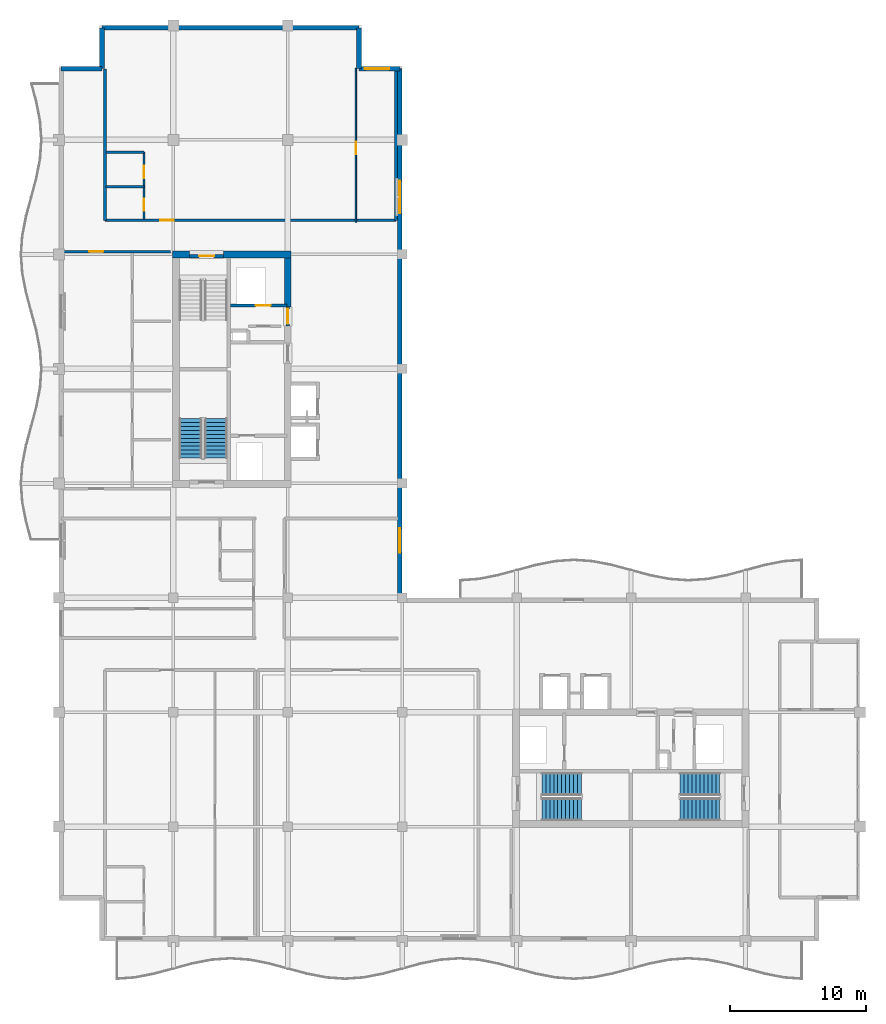
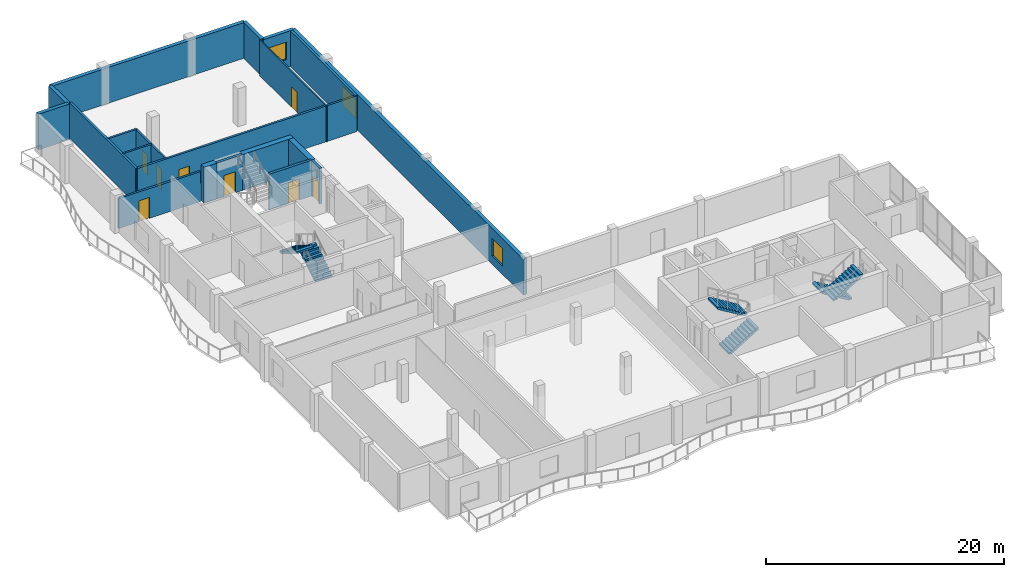
# One storey, part 9 of 14: 20 walls, 8 doors, 6 stair flights, 3 windows, 11 openings, 3 elements without a shape of their own.
"""IFC4 building model written with IfcOpenShell, lengths in metres."""

from ifc_helpers import new_model, si_unit, direction, frame, frame_2d, origin, place, context, subcontext, project, spatial, polyline, rectangle, outline, extrude, material, layer, layer_set, type_object, element, fill, aggregate, save


model = new_model("IFC4")

# Units and contexts
model_context = context("Model", 3, precision=1e-05, world=origin(), true_north=direction((0.0, 1.0)))
body_context = subcontext(model_context, "Body", "Model", "MODEL_VIEW")
ifc_project = project(units=[si_unit("LENGTHUNIT", "METRE"), si_unit("AREAUNIT", "SQUARE_METRE"), si_unit("VOLUMEUNIT", "CUBIC_METRE"), si_unit("PLANEANGLEUNIT", "RADIAN"), si_unit("MASSUNIT", "GRAM", prefix="KILO")], contexts=[model_context])

# Site, building, storey
site_placement = place(None, origin())
site = spatial("IfcSite", under=ifc_project, at=site_placement, CompositionType="ELEMENT")
building_placement = place(site_placement, origin())
building = spatial("IfcBuilding", under=site, at=building_placement, Name="Koriwani Terraces Tower", CompositionType="ELEMENT")
storey_placement = place(building_placement, frame((0.0, 0.0, 339.800048828125)))
storey = spatial("IfcBuildingStorey", under=building, at=storey_placement, Name="L84", CompositionType="ELEMENT", Elevation=339.800048828125)

# Walls
ifc_material_1 = material(Name="Concrete C50/60", Category="concrete")
ifc_layer_1 = layer(ifc_material_1, 0.5, Name="Concrete C50/60")
ifc_layer_set_1 = layer_set([ifc_layer_1], Name="Concrete C50/60")
wall_type_1 = type_object("IfcWallType", Name="WALL_CORE_RC_500", PredefinedType="SHEAR", material=ifc_layer_set_1)
wall_1_placement = place(storey_placement, frame((16.75, 58.800048828125, 0.0), z_axis=(0.0, 0.0, 1.0), x_axis=(1.0, 0.0, 0.0)))
element("IfcWall", 1, at=wall_1_placement, inside=storey, type_object=wall_type_1, Name="L84 West Split Core Shear Wall N1", PredefinedType="SHEAR", context=body_context, shape_type="SweptSolid", body=[
    extrude(rectangle(XDim=1.25, YDim=0.5, at=frame_2d((0.625, 0.0))), origin(), (0.0, 0.0, 1.0), 3.669921875),
])
wall_2_placement = place(storey_placement, frame((20.5, 58.800048828125, 0.0), z_axis=(0.0, 0.0, 1.0), x_axis=(1.0, 0.0, 0.0)))
element("IfcWall", 2, at=wall_2_placement, inside=storey, type_object=wall_type_1, Name="L84 West Split Core Shear Wall N2", PredefinedType="SHEAR", context=body_context, shape_type="SweptSolid", body=[
    extrude(rectangle(XDim=4.949951171875, YDim=0.5, at=frame_2d((2.47509765625, 0.0))), origin(), (0.0, 0.0, 1.0), 3.669921875),
])
wall_3_placement = place(storey_placement, frame((25.199951171875, 54.949951171875, 0.0), z_axis=(0.0, 0.0, 1.0), x_axis=(0.0, 1.0, 0.0)))
element("IfcWall", 3, at=wall_3_placement, inside=storey, type_object=wall_type_1, Name="L84 West Split Core Shear Wall E3", PredefinedType="SHEAR", context=body_context, shape_type="SweptSolid", body=[
    extrude(rectangle(XDim=3.60009765625, YDim=0.5, at=frame_2d((1.800048828125, 0.0))), origin(), (0.0, 0.0, 1.0), 3.669921875),
])

# Wall, opening, door
ifc_material_2 = material(Name="Autoclaved Cellular Concrete Blockwork", Category="masonry")
ifc_layer_2 = layer(ifc_material_2, 0.199951171875, Name="Autoclaved Cellular Concrete Blockwork")
ifc_layer_set_2 = layer_set([ifc_layer_2], Name="Autoclaved Cellular Concrete Blockwork")
wall_type_2 = type_object("IfcWallType", Name="WALL_CORRIDOR_200", PredefinedType="PARTITIONING", material=ifc_layer_set_2)
wall_4_placement = place(storey_placement, frame((8.64990234375, 59.0, 0.0), z_axis=(0.0, 0.0, 1.0), x_axis=(1.0, 0.0, 0.0)))
wall_4 = element("IfcWall", 4, at=wall_4_placement, inside=storey, type_object=wall_type_2, Name="L84 Interior Wall WRZ4-WN-L84", PredefinedType="PARTITIONING", context=body_context, shape_type="SweptSolid", body=[
    extrude(rectangle(XDim=7.9501953125, YDim=0.199951171875, at=frame_2d((3.97509765625, 0.0))), origin(), (0.0, 0.0, 1.0), 3.070068359375),
])
opening_1_placement = place(wall_4_placement, frame((2.0, 0.0, 0.0)))
opening_1 = element("IfcOpeningElement", 5, at=opening_1_placement, cuts=wall_4, Name="Opening D-05", PredefinedType="OPENING", context=body_context, shape_type="SweptSolid", body=[
    extrude(rectangle(XDim=1.0, YDim=2.14990234375, at=frame_2d((0.5, 1.074951171875))), frame((0.0, 0.10986328125, 0.0), z_axis=(0.0, -1.0, 0.0), x_axis=(1.0, 0.0, 0.0)), (0.0, 0.0, 1.0), 0.219970703125),
])
ifc_material_3 = material(Name="Architectural Oak Fire Door", Category="wood")
door_type_1 = type_object("IfcDoorType", Name="DOOR_SUITE_ENTRY_1000X2150", OperationType="NOTDEFINED", PredefinedType="DOOR", material=ifc_material_3)
door_1_placement = place(opening_1_placement, origin())
door_1 = element("IfcDoor", 6, at=door_1_placement, inside=storey, type_object=door_type_1, Name="Apartment 84RW2 Entrance Door", OperationType="SINGLE_SWING_RIGHT", OverallHeight=2.14990234375, OverallWidth=1.0, PredefinedType="DOOR", context=body_context, shape_type="SweptSolid", body=[
    extrude(rectangle(XDim=1.0, YDim=2.14990234375, at=frame_2d((0.5, 1.074951171875))), frame((0.0, 0.02490234375, 0.0), z_axis=(0.0, -1.0, 0.0), x_axis=(1.0, 0.0, 0.0)), (0.0, 0.0, 1.0), 0.050048828125),
])
fill(opening_1, door_1)

wall_5_placement = place(storey_placement, frame((11.800048828125, 61.300048828125, 0.0), z_axis=(0.0, 0.0, 1.0), x_axis=(1.0, 0.0, 0.0)))
wall_5 = element("IfcWall", 7, at=wall_5_placement, inside=storey, type_object=wall_type_2, Name="L84 Interior Wall WGB-L84-NT-S", PredefinedType="PARTITIONING", context=body_context, shape_type="SweptSolid", body=[
    extrude(rectangle(XDim=21.349853515625, YDim=0.199951171875, at=frame_2d((10.6748046875, 0.0))), origin(), (0.0, 0.0, 1.0), 3.669921875),
])
opening_2_placement = place(wall_5_placement, frame((4.050048828125, 0.0, 0.0)))
opening_2 = element("IfcOpeningElement", 8, at=opening_2_placement, cuts=wall_5, Name="Opening D-05", PredefinedType="OPENING", context=body_context, shape_type="SweptSolid", body=[
    extrude(rectangle(XDim=1.0, YDim=2.14990234375, at=frame_2d((0.5, 1.074951171875))), frame((0.0, 0.10986328125, 0.0), z_axis=(0.0, -1.0, 0.0), x_axis=(1.0, 0.0, 0.0)), (0.0, 0.0, 1.0), 0.219970703125),
])
door_2_placement = place(opening_2_placement, origin())
door_2 = element("IfcDoor", 9, at=door_2_placement, inside=storey, type_object=door_type_1, Name="Apartment 84NT Entrance Door", OperationType="SINGLE_SWING_RIGHT", OverallHeight=2.14990234375, OverallWidth=1.0, PredefinedType="DOOR", context=body_context, shape_type="SweptSolid", body=[
    extrude(rectangle(XDim=1.0, YDim=2.14990234375, at=frame_2d((0.5, 1.074951171875))), frame((0.0, 0.02490234375, 0.0), z_axis=(0.0, -1.0, 0.0), x_axis=(1.0, 0.0, 0.0)), (0.0, 0.0, 1.0), 0.050048828125),
])
fill(opening_2, door_2)

# Walls
ifc_layer_3 = layer(ifc_material_2, 0.219970703125, Name="Autoclaved Cellular Concrete Blockwork")
ifc_layer_set_3 = layer_set([ifc_layer_3], Name="Autoclaved Cellular Concrete Blockwork")
wall_type_3 = type_object("IfcWallType", Name="WALL_DEMISING_220", PredefinedType="PARTITIONING", material=ifc_layer_set_3)
for number, where, z_axis, x_axis, name in (
    (10, (33.14990234375, 61.300048828125, 0.0), (0.0, 0.0, 1.0), (0.0, 1.0, 0.0), "L84 Interior Wall WGB-L84-NT-E"),
    (11, (11.800048828125, 61.300048828125, 0.0), (0.0, 0.0, 1.0), (0.0, 1.0, 0.0), "L84 Interior Wall WGB-L84-NT-W"),
):
    element("IfcWall", number, at=place(storey_placement, frame(where, z_axis=z_axis, x_axis=x_axis)), inside=storey, type_object=wall_type_3, Name=name, PredefinedType="PARTITIONING", context=body_context, shape_type="SweptSolid", body=[
        extrude(rectangle(XDim=11.099853515625, YDim=0.219970703125, at=frame_2d((5.5498046875, 0.0))), origin(), (0.0, 0.0, 1.0), 3.669921875),
    ])
ifc_layer_4 = layer(ifc_material_1, 0.35009765625, Name="Concrete C50/60")
ifc_layer_set_4 = layer_set([ifc_layer_4], Name="Concrete C50/60")
wall_type_4 = type_object("IfcWallType", Name="WALL_EXT_BRUTALIST_350", PredefinedType="STANDARD", material=ifc_layer_set_4)
for number, where, z_axis, x_axis, name in (
    (12, (8.574951171875, 72.425048828125, 0.0), (0.0, 0.0, 1.0), (1.0, 0.0, 0.0), "L84 Fair-Faced Brutalist Exterior Wall (N3)"),
    (13, (11.574951171875, 72.425048828125, 0.0), (0.0, 0.0, 1.0), (0.0, 1.0, 0.0), "L84 Fair-Faced Brutalist Exterior Wall (N4)"),
):
    element("IfcWall", number, at=place(storey_placement, frame(where, z_axis=z_axis, x_axis=x_axis)), inside=storey, type_object=wall_type_4, Name=name, PredefinedType="STANDARD", context=body_context, shape_type="SweptSolid", body=[
        extrude(rectangle(XDim=3.0, YDim=0.35009765625, at=frame_2d((1.5, 0.0))), origin(), (0.0, 0.0, 1.0), 3.669921875),
    ])
wall_6_placement = place(storey_placement, frame((11.574951171875, 75.425048828125, 0.0), z_axis=(0.0, 0.0, 1.0), x_axis=(1.0, 0.0, 0.0)))
element("IfcWall", 14, at=wall_6_placement, inside=storey, type_object=wall_type_4, Name="L84 Fair-Faced Brutalist Exterior Wall (N_TIP)", PredefinedType="STANDARD", context=body_context, shape_type="SweptSolid", body=[
    extrude(rectangle(XDim=18.85009765625, YDim=0.35009765625, at=frame_2d((9.425048828125, 0.0))), origin(), (0.0, 0.0, 1.0), 3.669921875),
])
wall_7_placement = place(storey_placement, frame((30.425048828125, 75.425048828125, 0.0), z_axis=(0.0, 0.0, 1.0), x_axis=(0.0, -1.0, 0.0)))
element("IfcWall", 15, at=wall_7_placement, inside=storey, type_object=wall_type_4, Name="L84 Fair-Faced Brutalist Exterior Wall (N6)", PredefinedType="STANDARD", context=body_context, shape_type="SweptSolid", body=[
    extrude(rectangle(XDim=3.0, YDim=0.35009765625, at=frame_2d((1.5, 0.0))), origin(), (0.0, 0.0, 1.0), 3.669921875),
])

# Wall, opening, window
wall_8_placement = place(storey_placement, frame((30.425048828125, 72.425048828125, 0.0), z_axis=(0.0, 0.0, 1.0), x_axis=(1.0, 0.0, 0.0)))
wall_8 = element("IfcWall", 16, at=wall_8_placement, inside=storey, type_object=wall_type_4, Name="L84 Fair-Faced Brutalist Exterior Wall (N7)", PredefinedType="STANDARD", context=body_context, shape_type="SweptSolid", body=[
    extrude(rectangle(XDim=3.0, YDim=0.35009765625, at=frame_2d((1.5, 0.0))), origin(), (0.0, 0.0, 1.0), 3.669921875),
])
opening_3_placement = place(wall_8_placement, frame((0.4375, 0.0, 0.85009765625)))
opening_3 = element("IfcOpeningElement", 17, at=opening_3_placement, cuts=wall_8, Name="Opening W-04", PredefinedType="OPENING", context=body_context, shape_type="SweptSolid", body=[
    extrude(rectangle(XDim=1.800048828125, YDim=1.800048828125, at=frame_2d((0.89990234375, 0.89990234375))), frame((0.0, 0.18505859375, 0.0), z_axis=(0.0, -1.0, 0.0), x_axis=(1.0, 0.0, 0.0)), (0.0, 0.0, 1.0), 0.3701171875),
])
ifc_material_4 = material(Name="Tempered Laminated Low-E Glass", Category="glass")
window_type_1 = type_object("IfcWindowType", Name="WIN_RES_BED_1800X1800", PartitioningType="DOUBLE_PANEL_VERTICAL", PredefinedType="WINDOW", material=ifc_material_4)
window_1_placement = place(opening_3_placement, origin())
window_1 = element("IfcWindow", 18, at=window_1_placement, inside=storey, type_object=window_type_1, Name="L84 Exterior Window (N7-R41)", OverallHeight=1.800048828125, OverallWidth=1.800048828125, PartitioningType="SINGLE_PANEL", PredefinedType="WINDOW", context=body_context, shape_type="SweptSolid", body=[
    extrude(rectangle(XDim=1.800048828125, YDim=1.800048828125, at=frame_2d((0.89990234375, 0.89990234375))), frame((0.0, 0.030029296875, 0.0), z_axis=(0.0, -1.0, 0.0), x_axis=(1.0, 0.0, 0.0)), (0.0, 0.0, 1.0), 0.06005859375),
])
fill(opening_3, window_1)

# Wall, openings, windows
wall_9_placement = place(storey_placement, frame((33.425048828125, 72.425048828125, 0.0), z_axis=(0.0, 0.0, 1.0), x_axis=(0.0, -1.0, 0.0)))
wall_9 = element("IfcWall", 19, at=wall_9_placement, inside=storey, type_object=wall_type_4, Name="L84 Fair-Faced Brutalist Exterior Wall (NW_IN)", PredefinedType="STANDARD", context=body_context, shape_type="SweptSolid", body=[
    extrude(rectangle(XDim=39.0, YDim=0.35009765625, at=frame_2d((19.5, 0.0))), origin(), (0.0, 0.0, 1.0), 3.669921875),
])
opening_4_placement = place(wall_9_placement, frame((33.72509765625, 0.0, 0.85009765625)))
opening_4 = element("IfcOpeningElement", 20, at=opening_4_placement, cuts=wall_9, Name="Opening W-04", PredefinedType="OPENING", context=body_context, shape_type="SweptSolid", body=[
    extrude(rectangle(XDim=1.800048828125, YDim=1.800048828125, at=frame_2d((0.89990234375, 0.89990234375))), frame((0.0, 0.18505859375, 0.0), z_axis=(0.0, -1.0, 0.0), x_axis=(1.0, 0.0, 0.0)), (0.0, 0.0, 1.0), 0.3701171875),
])
opening_5_placement = place(wall_9_placement, frame((8.22509765625, 0.0, 0.85009765625)))
opening_5 = element("IfcOpeningElement", 21, at=opening_5_placement, cuts=wall_9, Name="Opening W-03", PredefinedType="OPENING", context=body_context, shape_type="SweptSolid", body=[
    extrude(rectangle(XDim=2.39990234375, YDim=1.949951171875, at=frame_2d((1.199951171875, 0.97509765625))), frame((0.0, 0.18505859375, 0.0), z_axis=(0.0, -1.0, 0.0), x_axis=(1.0, 0.0, 0.0)), (0.0, 0.0, 1.0), 0.3701171875),
])
window_2_placement = place(opening_4_placement, origin())
window_2 = element("IfcWindow", 22, at=window_2_placement, inside=storey, type_object=window_type_1, Name="L84 Exterior Window (NW_IN-2)", OverallHeight=1.800048828125, OverallWidth=1.800048828125, PartitioningType="SINGLE_PANEL", PredefinedType="WINDOW", context=body_context, shape_type="SweptSolid", body=[
    extrude(rectangle(XDim=1.800048828125, YDim=1.800048828125, at=frame_2d((0.89990234375, 0.89990234375))), frame((0.0, 0.030029296875, 0.0), z_axis=(0.0, -1.0, 0.0), x_axis=(1.0, 0.0, 0.0)), (0.0, 0.0, 1.0), 0.06005859375),
])
fill(opening_4, window_2)
window_type_2 = type_object("IfcWindowType", Name="WIN_RES_LIVING_2400X1950", PartitioningType="DOUBLE_PANEL_VERTICAL", PredefinedType="WINDOW", material=ifc_material_4)
window_3_placement = place(opening_5_placement, origin())
window_3 = element("IfcWindow", 23, at=window_3_placement, inside=storey, type_object=window_type_2, Name="L84 Exterior Window (NW_IN-11)", OverallHeight=1.949951171875, OverallWidth=2.39990234375, PartitioningType="SINGLE_PANEL", PredefinedType="WINDOW", context=body_context, shape_type="SweptSolid", body=[
    extrude(rectangle(XDim=2.39990234375, YDim=1.949951171875, at=frame_2d((1.199951171875, 0.97509765625))), frame((0.0, 0.030029296875, 0.0), z_axis=(0.0, -1.0, 0.0), x_axis=(1.0, 0.0, 0.0)), (0.0, 0.0, 1.0), 0.06005859375),
])
fill(opening_5, window_3)

# Wall, opening, door
ifc_material_5 = material(Name="Fire-Rated Acoustic Gypsum Partition", Category="masonry")
ifc_layer_5 = layer(ifc_material_5, 0.125, Name="Fire-Rated Acoustic Gypsum Partition")
ifc_layer_set_5 = layer_set([ifc_layer_5], Name="Fire-Rated Acoustic Gypsum Partition")
wall_type_5 = type_object("IfcWallType", Name="WALL_INT_125", PredefinedType="PARTITIONING", material=ifc_layer_set_5)
wall_10_placement = place(storey_placement, frame((30.199951171875, 61.14990234375, 0.0), z_axis=(0.0, 0.0, 1.0), x_axis=(0.0, 1.0, 0.0)))
wall_10 = element("IfcWall", 24, at=wall_10_placement, inside=storey, type_object=wall_type_5, Name="L84 Interior Wall WGB-L84-NT-BD", PredefinedType="PARTITIONING", context=body_context, shape_type="SweptSolid", body=[
    extrude(rectangle(XDim=11.300048828125, YDim=0.125, at=frame_2d((5.64990234375, 0.0))), origin(), (0.0, 0.0, 1.0), 3.669921875),
])
opening_6_placement = place(wall_10_placement, frame((4.9951171875, 0.0, 0.0)))
opening_6 = element("IfcOpeningElement", 25, at=opening_6_placement, cuts=wall_10, Name="Opening D-06", PredefinedType="OPENING", context=body_context, shape_type="SweptSolid", body=[
    extrude(rectangle(XDim=0.919921875, YDim=2.10009765625, at=frame_2d((0.4599609375, 1.050048828125))), frame((0.0, 0.072509765625, 0.0), z_axis=(0.0, -1.0, 0.0), x_axis=(1.0, 0.0, 0.0)), (0.0, 0.0, 1.0), 0.14501953125),
])
door_type_2 = type_object("IfcDoorType", Name="DOOR_ROOM_INT_920X2100", OperationType="NOTDEFINED", PredefinedType="DOOR", material=ifc_material_3)
door_3_placement = place(opening_6_placement, origin())
door_3 = element("IfcDoor", 26, at=door_3_placement, inside=storey, type_object=door_type_2, Name="Apartment 84NT Master Suite Door", OperationType="SINGLE_SWING_LEFT", OverallHeight=2.10009765625, OverallWidth=0.919921875, PredefinedType="DOOR", context=body_context, shape_type="SweptSolid", body=[
    extrude(rectangle(XDim=0.919921875, YDim=2.10009765625, at=frame_2d((0.4599609375, 1.050048828125))), frame((0.0, 0.02490234375, 0.0), z_axis=(0.0, -1.0, 0.0), x_axis=(1.0, 0.0, 0.0)), (0.0, 0.0, 1.0), 0.050048828125),
])
fill(opening_6, door_3)

# Wall, openings, doors
ifc_layer_6 = layer(ifc_material_5, 0.179931640625, Name="Fire-Rated Acoustic Gypsum Partition")
ifc_layer_set_6 = layer_set([ifc_layer_6], Name="Fire-Rated Acoustic Gypsum Partition")
wall_type_6 = type_object("IfcWallType", Name="WALL_PLUMBING_180", PredefinedType="PLUMBINGWALL", material=ifc_layer_set_6)
wall_11_placement = place(storey_placement, frame((14.64990234375, 61.35009765625, 0.0), z_axis=(0.0, 0.0, 1.0), x_axis=(0.0, 1.0, 0.0)))
wall_11 = element("IfcWall", 27, at=wall_11_placement, inside=storey, type_object=wall_type_6, Name="L84 Interior Wall WGB-L84-NT-SVB", PredefinedType="PLUMBINGWALL", context=body_context, shape_type="SweptSolid", body=[
    extrude(rectangle(XDim=4.949951171875, YDim=0.179931640625, at=frame_2d((2.47509765625, 0.0))), origin(), (0.0, 0.0, 1.0), 3.669921875),
])
opening_7_placement = place(wall_11_placement, frame((0.64990234375, 0.0, 0.0)))
opening_7 = element("IfcOpeningElement", 28, at=opening_7_placement, cuts=wall_11, Name="Opening D-07", PredefinedType="OPENING", context=body_context, shape_type="SweptSolid", body=[
    extrude(rectangle(XDim=0.89990234375, YDim=2.10009765625, at=frame_2d((0.449951171875, 1.050048828125))), frame((0.0, 0.10009765625, 0.0), z_axis=(0.0, -1.0, 0.0), x_axis=(1.0, 0.0, 0.0)), (0.0, 0.0, 1.0), 0.199951171875),
])
opening_8_placement = place(wall_11_placement, frame((3.050048828125, 0.0, 0.0)))
opening_8 = element("IfcOpeningElement", 29, at=opening_8_placement, cuts=wall_11, Name="Opening D-06", PredefinedType="OPENING", context=body_context, shape_type="SweptSolid", body=[
    extrude(rectangle(XDim=0.919921875, YDim=2.10009765625, at=frame_2d((0.4599609375, 1.050048828125))), frame((0.0, 0.10009765625, 0.0), z_axis=(0.0, -1.0, 0.0), x_axis=(1.0, 0.0, 0.0)), (0.0, 0.0, 1.0), 0.199951171875),
])
door_type_3 = type_object("IfcDoorType", Name="DOOR_BATH_INT_900X2100", OperationType="NOTDEFINED", PredefinedType="DOOR", material=ifc_material_3)
door_4_placement = place(opening_7_placement, origin())
door_4 = element("IfcDoor", 30, at=door_4_placement, inside=storey, type_object=door_type_3, Name="Apartment 84NT Bathroom Door", OperationType="SINGLE_SWING_LEFT", OverallHeight=2.10009765625, OverallWidth=0.89990234375, PredefinedType="DOOR", context=body_context, shape_type="SweptSolid", body=[
    extrude(rectangle(XDim=0.89990234375, YDim=2.10009765625, at=frame_2d((0.449951171875, 1.050048828125))), frame((0.0, 0.02490234375, 0.0), z_axis=(0.0, -1.0, 0.0), x_axis=(1.0, 0.0, 0.0)), (0.0, 0.0, 1.0), 0.050048828125),
])
fill(opening_7, door_4)
door_5_placement = place(opening_8_placement, origin())
door_5 = element("IfcDoor", 31, at=door_5_placement, inside=storey, type_object=door_type_2, Name="Apartment 84NT Kitchen Door", OperationType="SINGLE_SWING_RIGHT", OverallHeight=2.10009765625, OverallWidth=0.919921875, PredefinedType="DOOR", context=body_context, shape_type="SweptSolid", body=[
    extrude(rectangle(XDim=0.919921875, YDim=2.10009765625, at=frame_2d((0.4599609375, 1.050048828125))), frame((0.0, 0.02490234375, 0.0), z_axis=(0.0, -1.0, 0.0), x_axis=(1.0, 0.0, 0.0)), (0.0, 0.0, 1.0), 0.050048828125),
])
fill(opening_8, door_5)

# Walls
for number, where, z_axis, x_axis, name in (
    (32, (11.85009765625, 63.75, 0.0), (0.0, 0.0, 1.0), (1.0, 0.0, 0.0), "L84 Interior Wall WGB-L84-NT-SVM"),
    (33, (11.85009765625, 66.300048828125, 0.0), (0.0, 0.0, 1.0), (1.0, 0.0, 0.0), "L84 Interior Wall WGB-L84-NT-SV2"),
):
    element("IfcWall", number, at=place(storey_placement, frame(where, z_axis=z_axis, x_axis=x_axis)), inside=storey, type_object=wall_type_6, Name=name, PredefinedType="PLUMBINGWALL", context=body_context, shape_type="SweptSolid", body=[
        extrude(rectangle(XDim=2.7998046875, YDim=0.179931640625, at=frame_2d((1.39990234375, 0.0))), origin(), (0.0, 0.0, 1.0), 3.669921875),
    ])

# Wall, opening, door
ifc_material_6 = material(Name="Concrete C40/50", Category="concrete")
ifc_layer_7 = layer(ifc_material_6, 0.25, Name="Concrete C40/50")
ifc_layer_set_7 = layer_set([ifc_layer_7], Name="Concrete C40/50")
wall_type_7 = type_object("IfcWallType", Name="WALL_SHAFT_RATED_250", PredefinedType="SOLIDWALL", material=ifc_layer_set_7)
wall_12_placement = place(storey_placement, frame((18.0, 58.675048828125, 0.0), z_axis=(0.0, 0.0, 1.0), x_axis=(1.0, 0.0, 0.0)))
wall_12 = element("IfcWall", 34, at=wall_12_placement, inside=storey, type_object=wall_type_7, Name="L84 Interior Wall WIN-CW-L84-STN", PredefinedType="SOLIDWALL", context=body_context, shape_type="SweptSolid", body=[
    extrude(rectangle(XDim=2.5, YDim=0.25, at=frame_2d((1.25, 0.0))), origin(), (0.0, 0.0, 1.0), 3.669921875),
])
opening_9_placement = place(wall_12_placement, frame((0.699951171875, 0.0, 0.0)))
opening_9 = element("IfcOpeningElement", 35, at=opening_9_placement, cuts=wall_12, Name="Opening D-03", PredefinedType="OPENING", context=body_context, shape_type="SweptSolid", body=[
    extrude(rectangle(XDim=1.10009765625, YDim=2.14990234375, at=frame_2d((0.550048828125, 1.074951171875))), frame((0.0, 0.135009765625, 0.0), z_axis=(0.0, -1.0, 0.0), x_axis=(1.0, 0.0, 0.0)), (0.0, 0.0, 1.0), 0.27001953125),
])
ifc_material_7 = material(Name="Steel ASTM A572 Grade 50", Category="steel")
door_type_4 = type_object("IfcDoorType", Name="DOOR_STAIR_FIRE_1100X2150", OperationType="NOTDEFINED", PredefinedType="DOOR", material=ifc_material_7)
door_6_placement = place(opening_9_placement, origin())
door_6 = element("IfcDoor", 36, at=door_6_placement, inside=storey, type_object=door_type_4, Name="L84 Exit Stair ST-W2 Door", OperationType="SINGLE_SWING_LEFT", OverallHeight=2.14990234375, OverallWidth=1.10009765625, PredefinedType="DOOR", context=body_context, shape_type="SweptSolid", body=[
    extrude(rectangle(XDim=1.10009765625, YDim=2.14990234375, at=frame_2d((0.550048828125, 1.074951171875))), frame((0.0, 0.02490234375, 0.0), z_axis=(0.0, -1.0, 0.0), x_axis=(1.0, 0.0, 0.0)), (0.0, 0.0, 1.0), 0.050048828125),
])
fill(opening_9, door_6)

wall_13_placement = place(storey_placement, frame((21.0, 55.050048828125, 0.0), z_axis=(0.0, 0.0, 1.0), x_axis=(1.0, 0.0, 0.0)))
wall_13 = element("IfcWall", 37, at=wall_13_placement, inside=storey, type_object=wall_type_7, Name="L84 Interior Wall WIN-CW-L84-SE", PredefinedType="SOLIDWALL", context=body_context, shape_type="SweptSolid", body=[
    extrude(rectangle(XDim=4.14990234375, YDim=0.25, at=frame_2d((2.074951171875, 0.0))), origin(), (0.0, 0.0, 1.0), 3.669921875),
])
opening_10_placement = place(wall_13_placement, frame((1.85009765625, 0.0, 0.0)))
opening_10 = element("IfcOpeningElement", 38, at=opening_10_placement, cuts=wall_13, Name="Opening LD-01", PredefinedType="OPENING", context=body_context, shape_type="SweptSolid", body=[
    extrude(rectangle(XDim=1.10009765625, YDim=2.14990234375, at=frame_2d((0.550048828125, 1.074951171875))), frame((0.0, 0.135009765625, 0.0), z_axis=(0.0, -1.0, 0.0), x_axis=(1.0, 0.0, 0.0)), (0.0, 0.0, 1.0), 0.27001953125),
])
door_type_5 = type_object("IfcDoorType", Name="DOOR_LIFT_LANDING_1100X2200", OperationType="NOTDEFINED", PredefinedType="DOOR", material=ifc_material_7)
door_7_placement = place(opening_10_placement, origin())
door_7 = element("IfcDoor", 39, at=door_7_placement, inside=storey, type_object=door_type_5, Name="L84 Goods Lift SE-01 Landing Door", OperationType="SLIDING_TO_LEFT", OverallHeight=2.14990234375, OverallWidth=1.10009765625, PredefinedType="DOOR", context=body_context, shape_type="SweptSolid", body=[
    extrude(rectangle(XDim=1.10009765625, YDim=2.14990234375, at=frame_2d((0.550048828125, 1.074951171875))), frame((0.0, 0.02490234375, 0.0), z_axis=(0.0, -1.0, 0.0), x_axis=(1.0, 0.0, 0.0)), (0.0, 0.0, 1.0), 0.050048828125),
])
fill(opening_10, door_7)

wall_14_placement = place(storey_placement, frame((25.199951171875, 53.550048828125, 0.0), z_axis=(0.0, 0.0, 1.0), x_axis=(0.0, 1.0, 0.0)))
wall_14 = element("IfcWall", 40, at=wall_14_placement, inside=storey, type_object=wall_type_7, Name="L84 Interior Wall WIN-CW-L84-EP2", PredefinedType="SOLIDWALL", context=body_context, shape_type="SweptSolid", body=[
    extrude(rectangle(XDim=1.39990234375, YDim=0.25, at=frame_2d((0.699951171875, 0.0))), origin(), (0.0, 0.0, 1.0), 3.669921875),
])
opening_11_placement = place(wall_14_placement, frame((0.14990234375, 0.0, 0.0)))
opening_11 = element("IfcOpeningElement", 41, at=opening_11_placement, cuts=wall_14, Name="Opening D-03", PredefinedType="OPENING", context=body_context, shape_type="SweptSolid", body=[
    extrude(rectangle(XDim=1.10009765625, YDim=2.14990234375, at=frame_2d((0.550048828125, 1.074951171875))), frame((0.0, 0.135009765625, 0.0), z_axis=(0.0, -1.0, 0.0), x_axis=(1.0, 0.0, 0.0)), (0.0, 0.0, 1.0), 0.27001953125),
])
door_8_placement = place(opening_11_placement, origin())
door_8 = element("IfcDoor", 42, at=door_8_placement, inside=storey, type_object=door_type_4, Name="L84 West Goods Lift Lobby Door", OperationType="SINGLE_SWING_LEFT", OverallHeight=2.14990234375, OverallWidth=1.10009765625, PredefinedType="DOOR", context=body_context, shape_type="SweptSolid", body=[
    extrude(rectangle(XDim=1.10009765625, YDim=2.14990234375, at=frame_2d((0.550048828125, 1.074951171875))), frame((0.0, 0.02490234375, 0.0), z_axis=(0.0, -1.0, 0.0), x_axis=(1.0, 0.0, 0.0)), (0.0, 0.0, 1.0), 0.050048828125),
])
fill(opening_11, door_8)

# Stair, stair flights
stair_type = type_object("IfcStairType", Name="STAIR_CORE_DOGLEG_1650", PredefinedType="TWO_STRAIGHT_RUN_STAIR", material=ifc_material_6)
stair_1_placement = place(storey_placement, origin())
stair_1 = element("IfcStair", 43, at=stair_1_placement, inside=storey, type_object=stair_type, Name="L84 West Core Exit Stair 1", PredefinedType="HALF_TURN_STAIR")
stair_flight_type = type_object("IfcStairFlightType", Name="STAIR_FLIGHT_RC_1650", PredefinedType="STRAIGHT", material=ifc_material_6)
stair_flight_1_placement = place(storey_placement, frame((19.925048828125, 43.85009765625, 0.0), z_axis=(0.0, 0.0, 1.0), x_axis=(0.0, 1.0, 0.0)))
stair_flight_1 = element("IfcStairFlight", 44, at=stair_flight_1_placement, type_object=stair_flight_type, Name="ST-W1 flight 1", NumberOfRisers=11, NumberOfTreads=10, PredefinedType="STRAIGHT", RiserHeight=0.177272727, TreadLength=0.29, context=body_context, shape_type="SweptSolid", body=[
    extrude(outline(polyline([(0.0, 0.0), (0.0, 0.17724609375), (0.2900390625, 0.17724609375), (0.2900390625, 0.3544921875), (0.580078125, 0.3544921875), (0.580078125, 0.53173828125), (0.8701171875, 0.53173828125), (0.8701171875, 0.708984375), (1.159912109375, 0.708984375), (1.159912109375, 0.886474609375), (1.449951171875, 0.886474609375), (1.449951171875, 1.063720703125), (1.739990234375, 1.063720703125), (1.739990234375, 1.240966796875), (2.030029296875, 1.240966796875), (2.030029296875, 1.418212890625), (2.320068359375, 1.418212890625), (2.320068359375, 1.595458984375), (2.610107421875, 1.595458984375), (2.610107421875, 1.772705078125), (2.89990234375, 1.772705078125), (2.89990234375, 1.949951171875), (2.89990234375, 1.561767578125), (0.344970703125, 0.0), (0.0, 0.0)])), frame((0.0, 0.824951171875, 0.0), z_axis=(0.0, -1.0, 0.0), x_axis=(1.0, 0.0, 0.0)), (0.0, 0.0, 1.0), 1.64990234375),
])
stair_flight_2_placement = place(storey_placement, frame((18.074951171875, 46.75, 1.949951171875), z_axis=(0.0, 0.0, 1.0), x_axis=(0.0, -1.0, 0.0)))
stair_flight_2 = element("IfcStairFlight", 45, at=stair_flight_2_placement, type_object=stair_flight_type, Name="ST-W1 flight 2", NumberOfRisers=11, NumberOfTreads=10, PredefinedType="STRAIGHT", RiserHeight=0.177272727, TreadLength=0.29, context=body_context, shape_type="SweptSolid", body=[
    extrude(outline(polyline([(0.0, 0.0), (0.0, 0.17724609375), (0.2900390625, 0.17724609375), (0.2900390625, 0.3544921875), (0.580078125, 0.3544921875), (0.580078125, 0.53173828125), (0.8701171875, 0.53173828125), (0.8701171875, 0.708984375), (1.159912109375, 0.708984375), (1.159912109375, 0.886474609375), (1.449951171875, 0.886474609375), (1.449951171875, 1.063720703125), (1.739990234375, 1.063720703125), (1.739990234375, 1.240966796875), (2.030029296875, 1.240966796875), (2.030029296875, 1.418212890625), (2.320068359375, 1.418212890625), (2.320068359375, 1.595458984375), (2.610107421875, 1.595458984375), (2.610107421875, 1.772705078125), (2.89990234375, 1.772705078125), (2.89990234375, 1.949951171875), (2.89990234375, 1.561767578125), (0.344970703125, 0.0), (0.0, 0.0)])), frame((0.0, 0.824951171875, 0.0), z_axis=(0.0, -1.0, 0.0), x_axis=(1.0, 0.0, 0.0)), (0.0, 0.0, 1.0), 1.64990234375),
])
aggregate(stair_1, [stair_flight_1, stair_flight_2])

stair_2_placement = place(storey_placement, origin())
stair_2 = element("IfcStair", 46, at=stair_2_placement, inside=storey, type_object=stair_type, Name="L84 East Core Exit Stair 1", PredefinedType="HALF_TURN_STAIR")
stair_flight_3_placement = place(storey_placement, frame((43.85009765625, 18.074951171875, 0.0), z_axis=(0.0, 0.0, 1.0), x_axis=(1.0, 0.0, 0.0)))
stair_flight_3 = element("IfcStairFlight", 47, at=stair_flight_3_placement, type_object=stair_flight_type, Name="ST-E1 flight 1", NumberOfRisers=11, NumberOfTreads=10, PredefinedType="STRAIGHT", RiserHeight=0.177272727, TreadLength=0.29, context=body_context, shape_type="SweptSolid", body=[
    extrude(outline(polyline([(0.0, 0.0), (0.0, 0.17724609375), (0.2900390625, 0.17724609375), (0.2900390625, 0.3544921875), (0.580078125, 0.3544921875), (0.580078125, 0.53173828125), (0.8701171875, 0.53173828125), (0.8701171875, 0.708984375), (1.159912109375, 0.708984375), (1.159912109375, 0.886474609375), (1.449951171875, 0.886474609375), (1.449951171875, 1.063720703125), (1.739990234375, 1.063720703125), (1.739990234375, 1.240966796875), (2.030029296875, 1.240966796875), (2.030029296875, 1.418212890625), (2.320068359375, 1.418212890625), (2.320068359375, 1.595458984375), (2.610107421875, 1.595458984375), (2.610107421875, 1.772705078125), (2.89990234375, 1.772705078125), (2.89990234375, 1.949951171875), (2.89990234375, 1.561767578125), (0.344970703125, 0.0), (0.0, 0.0)])), frame((0.0, 0.824951171875, 0.0), z_axis=(0.0, -1.0, 0.0), x_axis=(1.0, 0.0, 0.0)), (0.0, 0.0, 1.0), 1.64990234375),
])
stair_flight_4_placement = place(storey_placement, frame((46.75, 19.925048828125, 1.949951171875), z_axis=(0.0, 0.0, 1.0), x_axis=(-1.0, 0.0, 0.0)))
stair_flight_4 = element("IfcStairFlight", 48, at=stair_flight_4_placement, type_object=stair_flight_type, Name="ST-E1 flight 2", NumberOfRisers=11, NumberOfTreads=10, PredefinedType="STRAIGHT", RiserHeight=0.177272727, TreadLength=0.29, context=body_context, shape_type="SweptSolid", body=[
    extrude(outline(polyline([(0.0, 0.0), (0.0, 0.17724609375), (0.2900390625, 0.17724609375), (0.2900390625, 0.3544921875), (0.580078125, 0.3544921875), (0.580078125, 0.53173828125), (0.8701171875, 0.53173828125), (0.8701171875, 0.708984375), (1.159912109375, 0.708984375), (1.159912109375, 0.886474609375), (1.449951171875, 0.886474609375), (1.449951171875, 1.063720703125), (1.739990234375, 1.063720703125), (1.739990234375, 1.240966796875), (2.030029296875, 1.240966796875), (2.030029296875, 1.418212890625), (2.320068359375, 1.418212890625), (2.320068359375, 1.595458984375), (2.610107421875, 1.595458984375), (2.610107421875, 1.772705078125), (2.89990234375, 1.772705078125), (2.89990234375, 1.949951171875), (2.89990234375, 1.561767578125), (0.344970703125, 0.0), (0.0, 0.0)])), frame((0.0, 0.824951171875, 0.0), z_axis=(0.0, -1.0, 0.0), x_axis=(1.0, 0.0, 0.0)), (0.0, 0.0, 1.0), 1.64990234375),
])
aggregate(stair_2, [stair_flight_3, stair_flight_4])

stair_3_placement = place(storey_placement, origin())
stair_3 = element("IfcStair", 49, at=stair_3_placement, inside=storey, type_object=stair_type, Name="L84 East Core Exit Stair 2", PredefinedType="HALF_TURN_STAIR")
stair_flight_5_placement = place(storey_placement, frame((56.89990234375, 19.925048828125, 0.0), z_axis=(0.0, 0.0, 1.0), x_axis=(-1.0, 0.0, 0.0)))
stair_flight_5 = element("IfcStairFlight", 50, at=stair_flight_5_placement, type_object=stair_flight_type, Name="ST-E2 flight 1", NumberOfRisers=11, NumberOfTreads=10, PredefinedType="STRAIGHT", RiserHeight=0.177272727, TreadLength=0.29, context=body_context, shape_type="SweptSolid", body=[
    extrude(outline(polyline([(0.0, 0.0), (0.0, 0.17724609375), (0.2900390625, 0.17724609375), (0.2900390625, 0.3544921875), (0.580078125, 0.3544921875), (0.580078125, 0.53173828125), (0.8701171875, 0.53173828125), (0.8701171875, 0.708984375), (1.159912109375, 0.708984375), (1.159912109375, 0.886474609375), (1.449951171875, 0.886474609375), (1.449951171875, 1.063720703125), (1.739990234375, 1.063720703125), (1.739990234375, 1.240966796875), (2.030029296875, 1.240966796875), (2.030029296875, 1.418212890625), (2.320068359375, 1.418212890625), (2.320068359375, 1.595458984375), (2.610107421875, 1.595458984375), (2.610107421875, 1.772705078125), (2.89990234375, 1.772705078125), (2.89990234375, 1.949951171875), (2.89990234375, 1.561767578125), (0.344970703125, 0.0), (0.0, 0.0)])), frame((0.0, 0.824951171875, 0.0), z_axis=(0.0, -1.0, 0.0), x_axis=(1.0, 0.0, 0.0)), (0.0, 0.0, 1.0), 1.64990234375),
])
stair_flight_6_placement = place(storey_placement, frame((54.0, 18.074951171875, 1.949951171875), z_axis=(0.0, 0.0, 1.0), x_axis=(1.0, 0.0, 0.0)))
stair_flight_6 = element("IfcStairFlight", 51, at=stair_flight_6_placement, type_object=stair_flight_type, Name="ST-E2 flight 2", NumberOfRisers=11, NumberOfTreads=10, PredefinedType="STRAIGHT", RiserHeight=0.177272727, TreadLength=0.29, context=body_context, shape_type="SweptSolid", body=[
    extrude(outline(polyline([(0.0, 0.0), (0.0, 0.17724609375), (0.2900390625, 0.17724609375), (0.2900390625, 0.3544921875), (0.580078125, 0.3544921875), (0.580078125, 0.53173828125), (0.8701171875, 0.53173828125), (0.8701171875, 0.708984375), (1.159912109375, 0.708984375), (1.159912109375, 0.886474609375), (1.449951171875, 0.886474609375), (1.449951171875, 1.063720703125), (1.739990234375, 1.063720703125), (1.739990234375, 1.240966796875), (2.030029296875, 1.240966796875), (2.030029296875, 1.418212890625), (2.320068359375, 1.418212890625), (2.320068359375, 1.595458984375), (2.610107421875, 1.595458984375), (2.610107421875, 1.772705078125), (2.89990234375, 1.772705078125), (2.89990234375, 1.949951171875), (2.89990234375, 1.561767578125), (0.344970703125, 0.0), (0.0, 0.0)])), frame((0.0, 0.824951171875, 0.0), z_axis=(0.0, -1.0, 0.0), x_axis=(1.0, 0.0, 0.0)), (0.0, 0.0, 1.0), 1.64990234375),
])
aggregate(stair_3, [stair_flight_5, stair_flight_6])

save(model, "model.ifc")
